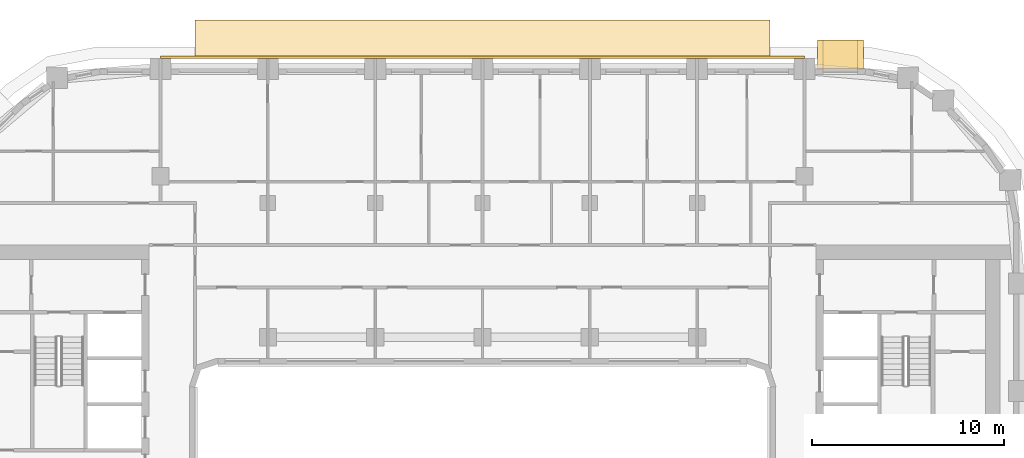
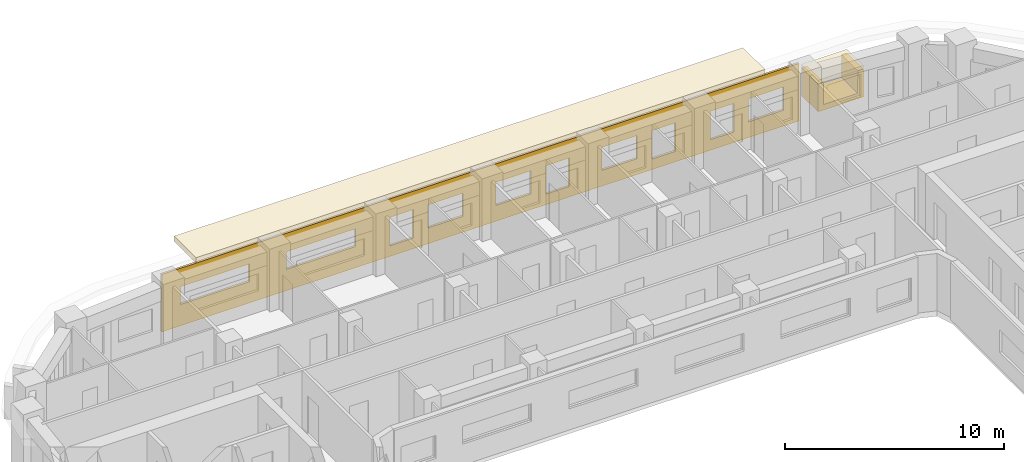
# One storey, part 21 of 22: 4 coverings.
"""IFC4 building model written with IfcOpenShell, lengths in metres."""

from ifc_helpers import new_model, si_unit, direction, frame, origin, origin_2d, place, context, subcontext, project, spatial, polyline, rectangle, outline, extrude, material, layer, layer_set, type_object, element, save


model = new_model("IFC4")

# Units and contexts
model_context = context("Model", 3, precision=1e-05, world=origin(), true_north=direction((0.0, 1.0)))
body_context = subcontext(model_context, "Body", "Model", "MODEL_VIEW")
ifc_project = project(units=[si_unit("LENGTHUNIT", "METRE"), si_unit("AREAUNIT", "SQUARE_METRE"), si_unit("VOLUMEUNIT", "CUBIC_METRE"), si_unit("PLANEANGLEUNIT", "RADIAN"), si_unit("MASSUNIT", "GRAM", prefix="KILO")], contexts=[model_context])

# Site, building, storey
site_placement = place(None, origin())
site = spatial("IfcSite", under=ifc_project, at=site_placement, CompositionType="ELEMENT")
building_placement = place(site_placement, origin())
building = spatial("IfcBuilding", under=site, at=building_placement, Name="Kiln Ring Residences", CompositionType="ELEMENT")
storey_placement = place(building_placement, frame((0.0, 0.0, 143.10009765625)))
storey = spatial("IfcBuildingStorey", under=building, at=storey_placement, Name="L36", CompositionType="ELEMENT", Elevation=143.10009765625)

# Coverings
ifc_material_1 = material(Name="Brick masonry, dark clay brick", Category="masonry")
ifc_layer_1 = layer(ifc_material_1, 0.300048828125)
ifc_layer_set_1 = layer_set([ifc_layer_1], Name="FRAME CHEEKS AND SILL 1500")
covering_type_1 = type_object("IfcCoveringType", Name="FRAME CHEEKS AND SILL 1500", PredefinedType="CLADDING", material=ifc_layer_set_1)
covering_1_placement = place(storey_placement, frame((19.875, 23.14990234375, 0.599853515625), z_axis=(0.0, 0.0, 1.0), x_axis=(-1.0, 0.0, 0.0)))
element("IfcCovering", 1, at=covering_1_placement, inside=storey, type_object=covering_type_1, Name="FRAME L36", PredefinedType="CLADDING", context=body_context, shape_type="SweptSolid", body=[
    extrude(outline(polyline([(0.0, 0.0), (2.39990234375, 0.0), (2.39990234375, 1.550048828125), (2.10107421875, 1.550048828125), (2.10009765625, 0.300048828125), (0.300048828125, 0.300048828125), (0.299072265625, 1.550048828125), (0.0, 1.550048828125), (0.0, 0.0)])), frame((0.0, 0.75, 0.0), z_axis=(0.0, -1.0, 0.0), x_axis=(1.0, 0.0, 0.0)), (0.0, 0.0, 1.0), 1.5),
])
ifc_material_2 = material(Name="Brick masonry, dark clay brick", Category="masonry")
ifc_layer_2 = layer(ifc_material_2, 0.199951171875)
ifc_layer_set_2 = layer_set([ifc_layer_2], Name="FRAME HEAD 1500")
covering_type_2 = type_object("IfcCoveringType", Name="FRAME HEAD 1500", PredefinedType="CLADDING", material=ifc_layer_set_2)
covering_2_placement = place(storey_placement, frame((18.675048828125, 23.14990234375, 2.14990234375), z_axis=(0.0, 0.0, 1.0), x_axis=(-1.0, 0.0, 0.0)))
element("IfcCovering", 2, at=covering_2_placement, inside=storey, type_object=covering_type_2, Name="FRAME HEAD L36", PredefinedType="CLADDING", context=body_context, shape_type="SweptSolid", body=[
    extrude(rectangle(XDim=2.39990234375, YDim=1.5, at=origin_2d()), origin(), (0.0, 0.0, 1.0), 0.199951171875),
])
ifc_material_3 = material(Name="Brick masonry, dark clay brick", Category="masonry")
ifc_layer_3 = layer(ifc_material_3, 0.1201171875)
ifc_layer_set_3 = layer_set([ifc_layer_3], Name="RAINSCREEN PANEL 120")
covering_type_3 = type_object("IfcCoveringType", Name="RAINSCREEN PANEL 120", PredefinedType="CLADDING", material=ifc_layer_set_3)
covering_3_placement = place(storey_placement, frame((16.800048828125, 23.010009765625, 0.0), z_axis=(0.0, 0.0, 1.0), x_axis=(-1.0, 0.0, 0.0)))
element("IfcCovering", 3, at=covering_3_placement, inside=storey, type_object=covering_type_3, Name="RAINSCREEN L36", PredefinedType="CLADDING", context=body_context, shape_type="SweptSolid", body=[
    extrude(outline(polyline([(0.0, 0.0), (33.60009765625, 0.0), (33.60009765625, 3.199951171875), (0.0, 3.199951171875), (0.0, 0.0)]), holes=[polyline([(3.4423828125, 0.579833984375), (4.6826171875, 0.579833984375), (4.6826171875, 2.169921875), (3.4423828125, 2.169921875), (3.4423828125, 0.579833984375)]), polyline([(6.517578125, 0.579833984375), (7.757568359375, 0.579833984375), (7.757568359375, 2.169921875), (6.517578125, 2.169921875), (6.517578125, 0.579833984375)]), polyline([(12.117431640625, 0.579833984375), (13.357421875, 0.579833984375), (13.357421875, 2.169921875), (12.117431640625, 2.169921875), (12.117431640625, 0.579833984375)]), polyline([(20.342529296875, 2.169921875), (20.342529296875, 0.579833984375), (21.58251953125, 0.579833984375), (21.58251953125, 2.169921875), (20.342529296875, 2.169921875)]), polyline([(0.8173828125, 2.169921875), (0.8173828125, 0.8798828125), (2.657470703125, 0.8798828125), (2.657470703125, 2.169921875), (0.8173828125, 2.169921875)]), polyline([(8.54248046875, 0.8798828125), (10.382568359375, 0.8798828125), (10.382568359375, 2.169921875), (8.54248046875, 2.169921875), (8.54248046875, 0.8798828125)]), polyline([(14.142578125, 0.8798828125), (15.982421875, 0.8798828125), (15.982421875, 2.169921875), (14.142578125, 2.169921875), (14.142578125, 0.8798828125)]), polyline([(17.717529296875, 0.8798828125), (19.5576171875, 0.8798828125), (19.5576171875, 2.169921875), (17.717529296875, 2.169921875), (17.717529296875, 0.8798828125)]), polyline([(23.3798828125, 2.169921875), (23.3798828125, 1.179931640625), (27.02001953125, 1.179931640625), (27.02001953125, 2.169921875), (23.3798828125, 2.169921875)]), polyline([(28.97998046875, 2.169921875), (28.97998046875, 1.179931640625), (32.6201171875, 1.179931640625), (32.6201171875, 2.169921875), (28.97998046875, 2.169921875)])]), frame((0.0, 0.06005859375, 0.0), z_axis=(0.0, -1.0, 0.0), x_axis=(1.0, 0.0, 0.0)), (0.0, 0.0, 1.0), 0.1201171875),
])
ifc_material_4 = material(Name="Black powder-coated steel", Category="steel")
ifc_layer_4 = layer(ifc_material_4, 0.300048828125)
ifc_layer_set_4 = layer_set([ifc_layer_4], Name="SUNSHADE BAND 2000")
covering_type_4 = type_object("IfcCoveringType", Name="SUNSHADE BAND 2000", PredefinedType="CLADDING", material=ifc_layer_set_4)
covering_4_placement = place(storey_placement, frame((0.0, 0.0, 3.199951171875)))
element("IfcCovering", 4, at=covering_4_placement, inside=storey, type_object=covering_type_4, Name="SUNSHADE BAND L36", PredefinedType="CLADDING", context=body_context, shape_type="SweptSolid", body=[
    extrude(outline(polyline([(15.0, 24.949951171875), (-15.0, 24.949951171875), (-15.0, 22.949951171875), (15.0, 22.949951171875), (15.0, 24.949951171875)])), origin(), (0.0, 0.0, 1.0), 0.300048828125),
])

save(model, "model.ifc")
